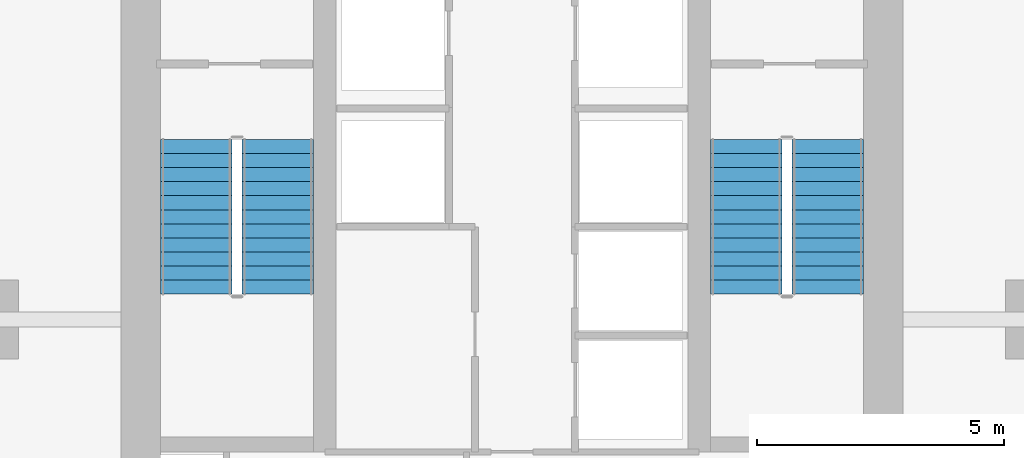
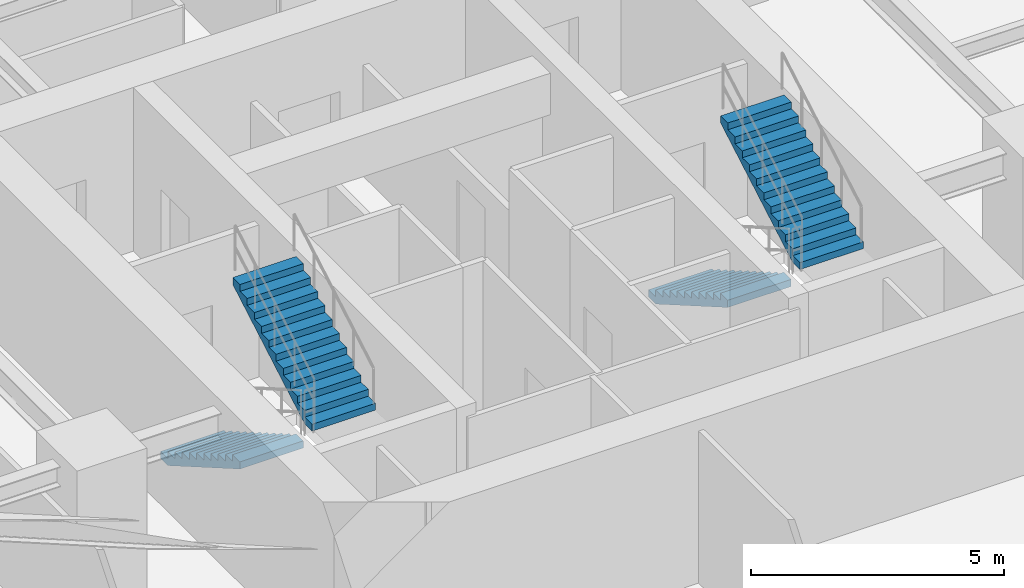
# One storey, part 24 of 26: 4 stair flights, 2 elements without a shape of their own.
"""IFC4 building model written with IfcOpenShell, lengths in metres."""

from ifc_helpers import new_model, si_unit, direction, frame, origin, place, context, subcontext, project, spatial, polyline, outline, extrude, material, type_object, element, aggregate, save


model = new_model("IFC4")

# Units and contexts
model_context = context("Model", 3, precision=1e-05, world=origin(), true_north=direction((0.0, 1.0)))
body_context = subcontext(model_context, "Body", "Model", "MODEL_VIEW")
ifc_project = project(units=[si_unit("LENGTHUNIT", "METRE"), si_unit("AREAUNIT", "SQUARE_METRE"), si_unit("VOLUMEUNIT", "CUBIC_METRE"), si_unit("PLANEANGLEUNIT", "RADIAN"), si_unit("MASSUNIT", "GRAM", prefix="KILO")], contexts=[model_context])

# Site, building, storey
site_placement = place(None, origin())
site = spatial("IfcSite", under=ifc_project, at=site_placement, CompositionType="ELEMENT")
building_placement = place(site_placement, origin())
building = spatial("IfcBuilding", under=site, at=building_placement, Name="Krantzveldt Concourse Tower", CompositionType="ELEMENT")
storey_placement = place(building_placement, frame((0.0, 0.0, 227.050048828125)))
storey = spatial("IfcBuildingStorey", under=building, at=storey_placement, Name="L55", CompositionType="ELEMENT", Elevation=227.050048828125)

# Stair, stair flights
ifc_material = material(Name="Precast concrete C40/50", Category="concrete")
stair_type = type_object("IfcStairType", Name="STR-CORE-DOGLEG", PredefinedType="HALF_TURN_STAIR", material=ifc_material)
stair_1_placement = place(storey_placement, origin())
stair_1 = element("IfcStair", 1, at=stair_1_placement, inside=storey, type_object=stair_type, Name="L55 Protected Escape Stair ST-1", PredefinedType="HALF_TURN_STAIR")
stair_flight_type = type_object("IfcStairFlightType", Name="STF-CORE-1450", PredefinedType="STRAIGHT", material=ifc_material)
stair_flight_1_placement = place(storey_placement, frame((29.60498046875, 19.550048828125, 0.0), z_axis=(0.0, 0.0, 1.0), x_axis=(0.0, -1.0, 0.0)))
stair_flight_1 = element("IfcStairFlight", 2, at=stair_flight_1_placement, type_object=stair_flight_type, Name="ST-1 flight 1", NumberOfRisers=12, NumberOfTreads=11, PredefinedType="STRAIGHT", RiserHeight=0.164583333, TreadLength=0.285, context=body_context, shape_type="SweptSolid", body=[
    extrude(outline(polyline([(0.0, 0.0), (0.0, 0.16455078125), (0.284912109375, 0.16455078125), (0.284912109375, 0.3291015625), (0.570068359375, 0.3291015625), (0.570068359375, 0.49365234375), (0.85498046875, 0.49365234375), (0.85498046875, 0.658447265625), (1.139892578125, 0.658447265625), (1.139892578125, 0.822998046875), (1.425048828125, 0.822998046875), (1.425048828125, 0.987548828125), (1.7099609375, 0.987548828125), (1.7099609375, 1.152099609375), (1.9951171875, 1.152099609375), (1.9951171875, 1.316650390625), (2.280029296875, 1.316650390625), (2.280029296875, 1.481201171875), (2.56494140625, 1.481201171875), (2.56494140625, 1.645751953125), (2.85009765625, 1.645751953125), (2.85009765625, 1.810302734375), (3.135009765625, 1.810302734375), (3.135009765625, 1.97509765625), (3.135009765625, 1.63720703125), (0.2998046875, 0.0), (0.0, 0.0)])), frame((0.0, 0.72509765625, 0.0), z_axis=(0.0, -1.0, 0.0), x_axis=(1.0, 0.0, 0.0)), (0.0, 0.0, 1.0), 1.449951171875),
])
stair_flight_2_placement = place(storey_placement, frame((31.2548828125, 16.4150390625, 1.974853515625), z_axis=(0.0, 0.0, 1.0), x_axis=(0.0, 1.0, 0.0)))
stair_flight_2 = element("IfcStairFlight", 3, at=stair_flight_2_placement, type_object=stair_flight_type, Name="ST-1 flight 2", NumberOfRisers=12, NumberOfTreads=11, PredefinedType="STRAIGHT", RiserHeight=0.164583333, TreadLength=0.285, context=body_context, shape_type="SweptSolid", body=[
    extrude(outline(polyline([(0.0, 0.0), (0.0, 0.16455078125), (0.284912109375, 0.16455078125), (0.284912109375, 0.3291015625), (0.570068359375, 0.3291015625), (0.570068359375, 0.49365234375), (0.85498046875, 0.49365234375), (0.85498046875, 0.658447265625), (1.139892578125, 0.658447265625), (1.139892578125, 0.822998046875), (1.425048828125, 0.822998046875), (1.425048828125, 0.987548828125), (1.7099609375, 0.987548828125), (1.7099609375, 1.152099609375), (1.9951171875, 1.152099609375), (1.9951171875, 1.316650390625), (2.280029296875, 1.316650390625), (2.280029296875, 1.481201171875), (2.56494140625, 1.481201171875), (2.56494140625, 1.645751953125), (2.85009765625, 1.645751953125), (2.85009765625, 1.810302734375), (3.135009765625, 1.810302734375), (3.135009765625, 1.97509765625), (3.135009765625, 1.63720703125), (0.2998046875, 0.0), (0.0, 0.0)])), frame((0.0, 0.72509765625, 0.0), z_axis=(0.0, -1.0, 0.0), x_axis=(1.0, 0.0, 0.0)), (0.0, 0.0, 1.0), 1.449951171875),
])
aggregate(stair_1, [stair_flight_1, stair_flight_2])

stair_2_placement = place(storey_placement, origin())
stair_2 = element("IfcStair", 4, at=stair_2_placement, inside=storey, type_object=stair_type, Name="L55 Protected Escape Stair ST-2", PredefinedType="HALF_TURN_STAIR")
stair_flight_3_placement = place(storey_placement, frame((40.7451171875, 19.550048828125, 0.0), z_axis=(0.0, 0.0, 1.0), x_axis=(0.0, -1.0, 0.0)))
stair_flight_3 = element("IfcStairFlight", 5, at=stair_flight_3_placement, type_object=stair_flight_type, Name="ST-2 flight 1", NumberOfRisers=12, NumberOfTreads=11, PredefinedType="STRAIGHT", RiserHeight=0.164583333, TreadLength=0.285, context=body_context, shape_type="SweptSolid", body=[
    extrude(outline(polyline([(0.0, 0.0), (0.0, 0.16455078125), (0.284912109375, 0.16455078125), (0.284912109375, 0.3291015625), (0.570068359375, 0.3291015625), (0.570068359375, 0.49365234375), (0.85498046875, 0.49365234375), (0.85498046875, 0.658447265625), (1.139892578125, 0.658447265625), (1.139892578125, 0.822998046875), (1.425048828125, 0.822998046875), (1.425048828125, 0.987548828125), (1.7099609375, 0.987548828125), (1.7099609375, 1.152099609375), (1.9951171875, 1.152099609375), (1.9951171875, 1.316650390625), (2.280029296875, 1.316650390625), (2.280029296875, 1.481201171875), (2.56494140625, 1.481201171875), (2.56494140625, 1.645751953125), (2.85009765625, 1.645751953125), (2.85009765625, 1.810302734375), (3.135009765625, 1.810302734375), (3.135009765625, 1.97509765625), (3.135009765625, 1.63720703125), (0.2998046875, 0.0), (0.0, 0.0)])), frame((0.0, 0.72509765625, 0.0), z_axis=(0.0, -1.0, 0.0), x_axis=(1.0, 0.0, 0.0)), (0.0, 0.0, 1.0), 1.449951171875),
])
stair_flight_4_placement = place(storey_placement, frame((42.39501953125, 16.4150390625, 1.974853515625), z_axis=(0.0, 0.0, 1.0), x_axis=(0.0, 1.0, 0.0)))
stair_flight_4 = element("IfcStairFlight", 6, at=stair_flight_4_placement, type_object=stair_flight_type, Name="ST-2 flight 2", NumberOfRisers=12, NumberOfTreads=11, PredefinedType="STRAIGHT", RiserHeight=0.164583333, TreadLength=0.285, context=body_context, shape_type="SweptSolid", body=[
    extrude(outline(polyline([(0.0, 0.0), (0.0, 0.16455078125), (0.284912109375, 0.16455078125), (0.284912109375, 0.3291015625), (0.570068359375, 0.3291015625), (0.570068359375, 0.49365234375), (0.85498046875, 0.49365234375), (0.85498046875, 0.658447265625), (1.139892578125, 0.658447265625), (1.139892578125, 0.822998046875), (1.425048828125, 0.822998046875), (1.425048828125, 0.987548828125), (1.7099609375, 0.987548828125), (1.7099609375, 1.152099609375), (1.9951171875, 1.152099609375), (1.9951171875, 1.316650390625), (2.280029296875, 1.316650390625), (2.280029296875, 1.481201171875), (2.56494140625, 1.481201171875), (2.56494140625, 1.645751953125), (2.85009765625, 1.645751953125), (2.85009765625, 1.810302734375), (3.135009765625, 1.810302734375), (3.135009765625, 1.97509765625), (3.135009765625, 1.63720703125), (0.2998046875, 0.0), (0.0, 0.0)])), frame((0.0, 0.72509765625, 0.0), z_axis=(0.0, -1.0, 0.0), x_axis=(1.0, 0.0, 0.0)), (0.0, 0.0, 1.0), 1.449951171875),
])
aggregate(stair_2, [stair_flight_3, stair_flight_4])

save(model, "model.ifc")
